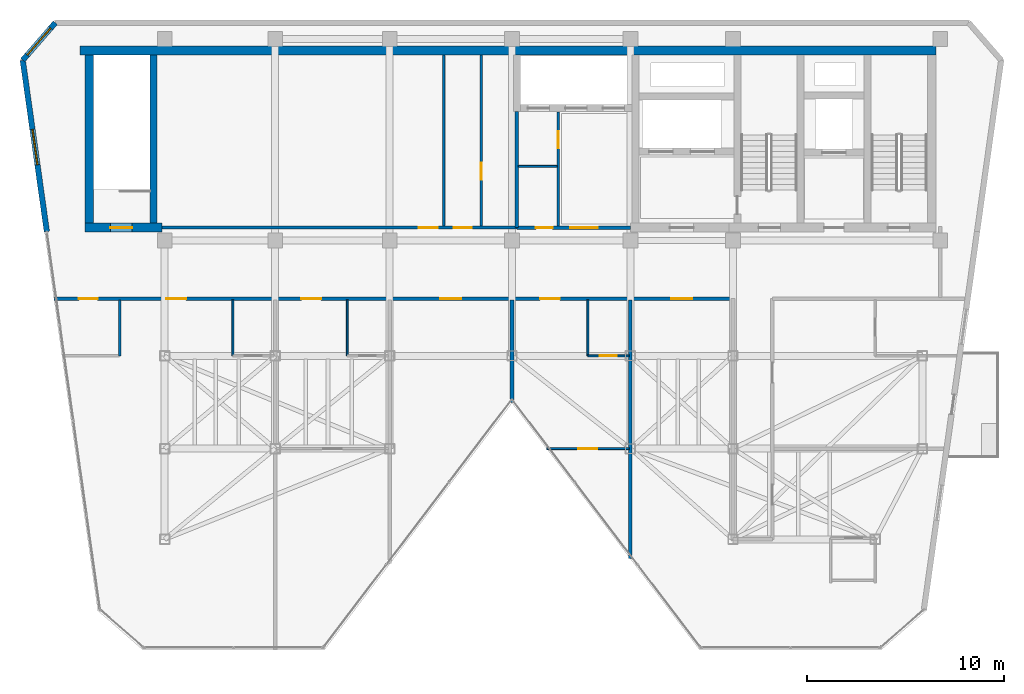
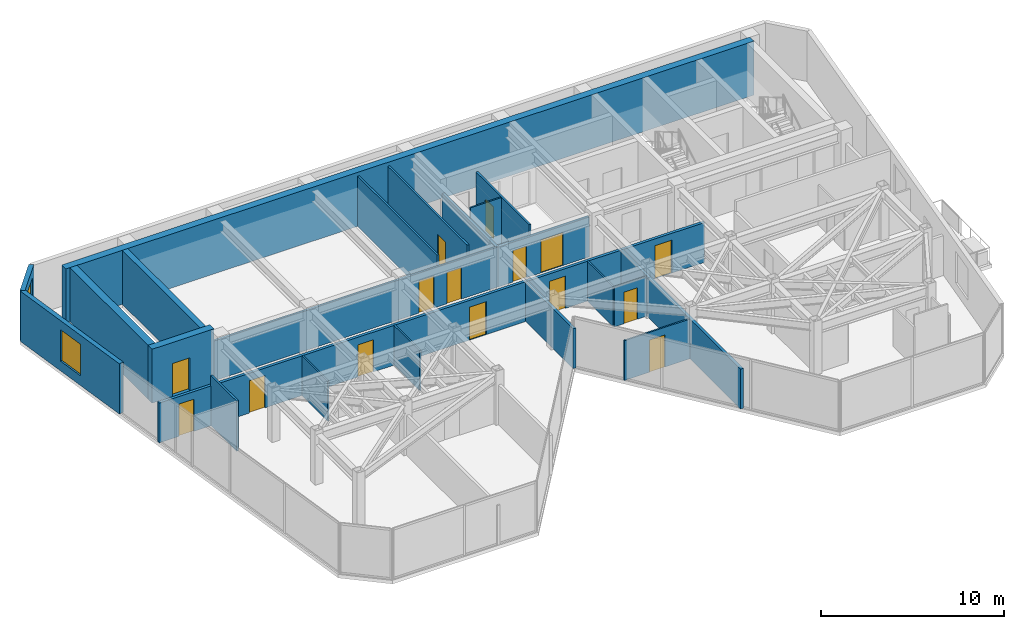
# One storey, part 16 of 20: 22 walls, 15 doors, 2 windows, 17 openings.
"""IFC4 building model written with IfcOpenShell, lengths in metres."""

from ifc_helpers import new_model, si_unit, direction, frame, frame_2d, origin, place, context, subcontext, project, spatial, rectangle, extrude, material, layer, layer_set, type_object, element, fill, save


model = new_model("IFC4")

# Units and contexts
model_context = context("Model", 3, precision=1e-05, world=origin(), true_north=direction((0.0, 1.0)))
body_context = subcontext(model_context, "Body", "Model", "MODEL_VIEW")
ifc_project = project(units=[si_unit("LENGTHUNIT", "METRE"), si_unit("AREAUNIT", "SQUARE_METRE"), si_unit("VOLUMEUNIT", "CUBIC_METRE"), si_unit("PLANEANGLEUNIT", "RADIAN"), si_unit("MASSUNIT", "GRAM", prefix="KILO")], contexts=[model_context])

# Site, building, storey
site_placement = place(None, origin())
site = spatial("IfcSite", under=ifc_project, at=site_placement, CompositionType="ELEMENT")
building_placement = place(site_placement, origin())
building = spatial("IfcBuilding", under=site, at=building_placement, Name="Kravanh Interchange Tower", CompositionType="ELEMENT")
storey_placement = place(building_placement, frame((0.0, 0.0, 241.800048828125)))
storey = spatial("IfcBuildingStorey", under=building, at=storey_placement, Name="L58", CompositionType="ELEMENT", Elevation=241.800048828125)

# Wall, opening, door
ifc_material_1 = material(Name="Double Acoustic Gypsum Board and Mineral Wool")
ifc_layer_1 = layer(ifc_material_1, 0.1201171875)
ifc_layer_set_1 = layer_set([ifc_layer_1], Name="Acoustic Office Drywall Partition 120mm")
wall_type_1 = type_object("IfcWallType", Name="Acoustic Office Drywall Partition 120mm", PredefinedType="PARTITIONING", material=ifc_layer_set_1)
wall_1_placement = place(storey_placement, frame((47.14990234375, 38.068115234375, 0.0), z_axis=(0.0, 0.0, 1.0), x_axis=(0.0, 1.0, 0.0)))
wall_1 = element("IfcWall", 1, at=wall_1_placement, inside=storey, type_object=wall_type_1, Name="L58 Interior Partition 2", PredefinedType="PARTITIONING", context=body_context, shape_type="SweptSolid", body=[
    extrude(rectangle(XDim=5.798828125, YDim=0.1201171875, at=frame_2d((2.8994140625, 0.0))), origin(), (0.0, 0.0, 1.0), 3.349853515625),
])
opening_1_placement = place(wall_1_placement, frame((3.95703125, 0.0, 0.0)))
opening_1 = element("IfcOpeningElement", 2, at=opening_1_placement, cuts=wall_1, Name="Opening D-85", PredefinedType="OPENING", context=body_context, shape_type="SweptSolid", body=[
    extrude(rectangle(XDim=0.85009765625, YDim=2.10009765625, at=frame_2d((0.425048828125, 1.050048828125))), frame((0.0, 0.070068359375, 0.0), z_axis=(0.0, -1.0, 0.0), x_axis=(1.0, 0.0, 0.0)), (0.0, 0.0, 1.0), 0.14013671875),
])
ifc_material_2 = material(Name="Engineered Teak Veneer Timber", Category="wood")
door_type_1 = type_object("IfcDoorType", Name="En-Suite Timber Door 850x2100", OperationType="NOTDEFINED", PredefinedType="DOOR", material=ifc_material_2)
door_1_placement = place(opening_1_placement, origin())
door_1 = element("IfcDoor", 3, at=door_1_placement, inside=storey, type_object=door_type_1, Name="L58 Core Valet Store Door", OperationType="SINGLE_SWING_RIGHT", OverallHeight=2.10009765625, OverallWidth=0.85009765625, PredefinedType="DOOR", context=body_context, shape_type="SweptSolid", body=[
    extrude(rectangle(XDim=0.85009765625, YDim=2.10009765625, at=frame_2d((0.425048828125, 1.050048828125))), frame((0.0, 0.02490234375, 0.0), z_axis=(0.0, -1.0, 0.0), x_axis=(1.0, 0.0, 0.0)), (0.0, 0.0, 1.0), 0.050048828125),
])
fill(opening_1, door_1)

# Wall
wall_2_placement = place(storey_placement, frame((41.35009765625, 38.068115234375, 0.0), z_axis=(0.0, 0.0, 1.0), x_axis=(0.0, 1.0, 0.0)))
element("IfcWall", 4, at=wall_2_placement, inside=storey, type_object=wall_type_1, Name="L58 Interior Partition 7", PredefinedType="PARTITIONING", context=body_context, shape_type="SweptSolid", body=[
    extrude(rectangle(XDim=8.673828125, YDim=0.1201171875, at=frame_2d((4.3369140625, 0.0))), origin(), (0.0, 0.0, 1.0), 3.349853515625),
])

# Wall, opening, door
wall_3_placement = place(storey_placement, frame((43.25, 38.068115234375, 0.0), z_axis=(0.0, 0.0, 1.0), x_axis=(0.0, 1.0, 0.0)))
wall_3 = element("IfcWall", 5, at=wall_3_placement, inside=storey, type_object=wall_type_1, Name="L58 Interior Partition 8", PredefinedType="PARTITIONING", context=body_context, shape_type="SweptSolid", body=[
    extrude(rectangle(XDim=8.673828125, YDim=0.1201171875, at=frame_2d((4.3369140625, 0.0))), origin(), (0.0, 0.0, 1.0), 3.349853515625),
])
opening_2_placement = place(wall_3_placement, frame((2.365966796875, 0.0, 0.0)))
opening_2 = element("IfcOpeningElement", 6, at=opening_2_placement, cuts=wall_3, Name="Opening D-85", PredefinedType="OPENING", context=body_context, shape_type="SweptSolid", body=[
    extrude(rectangle(XDim=0.85009765625, YDim=2.10009765625, at=frame_2d((0.425048828125, 1.050048828125))), frame((0.0, 0.070068359375, 0.0), z_axis=(0.0, -1.0, 0.0), x_axis=(1.0, 0.0, 0.0)), (0.0, 0.0, 1.0), 0.14013671875),
])
door_2_placement = place(opening_2_placement, origin())
door_2 = element("IfcDoor", 7, at=door_2_placement, inside=storey, type_object=door_type_1, Name="L58 Pantry Store Inner Door", OperationType="SINGLE_SWING_LEFT", OverallHeight=2.10009765625, OverallWidth=0.85009765625, PredefinedType="DOOR", context=body_context, shape_type="SweptSolid", body=[
    extrude(rectangle(XDim=0.85009765625, YDim=2.10009765625, at=frame_2d((0.425048828125, 1.050048828125))), frame((0.0, 0.02490234375, 0.0), z_axis=(0.0, -1.0, 0.0), x_axis=(1.0, 0.0, 0.0)), (0.0, 0.0, 1.0), 0.050048828125),
])
fill(opening_2, door_2)

# Walls
wall_4_placement = place(storey_placement, frame((24.919921875, 31.5, 0.0), z_axis=(0.0, 0.0, 1.0), x_axis=(0.0, 1.0, 0.0)))
element("IfcWall", 8, at=wall_4_placement, inside=storey, type_object=wall_type_1, Name="L58 Interior Partition 15", PredefinedType="PARTITIONING", context=body_context, shape_type="SweptSolid", body=[
    extrude(rectangle(XDim=2.83203125, YDim=0.1201171875, at=frame_2d((1.416015625, 0.0))), origin(), (0.0, 0.0, 1.0), 3.349853515625),
])
ifc_material_3 = material(Name="Concrete C60/75", Category="concrete")
ifc_layer_2 = layer(ifc_material_3, 0.35009765625)
ifc_layer_set_2 = layer_set([ifc_layer_2], Name="Core Shear Wall Concrete C60/75 350mm")
wall_type_2 = type_object("IfcWallType", Name="Core Shear Wall Concrete C60/75 350mm", PredefinedType="SHEAR", material=ifc_layer_set_2)
wall_5_placement = place(storey_placement, frame((26.625, 38.22509765625, 0.0), z_axis=(0.0, 0.0, 1.0), x_axis=(0.0, 1.0, 0.0)))
element("IfcWall", 9, at=wall_5_placement, inside=storey, type_object=wall_type_2, Name="L58 Stair ST3 East Shear Wall", PredefinedType="SHEAR", context=body_context, shape_type="SweptSolid", body=[
    extrude(rectangle(XDim=8.52490234375, YDim=0.35009765625, at=frame_2d((4.262451171875, 0.0))), origin(), (0.0, 0.0, 1.0), 3.599853515625),
])
ifc_material_4 = material(Name="Concrete C60/75", Category="concrete")
ifc_layer_3 = layer(ifc_material_4, 0.449951171875)
ifc_layer_set_3 = layer_set([ifc_layer_3], Name="Core Shear Wall Concrete C60/75 450mm")
wall_type_3 = type_object("IfcWallType", Name="Core Shear Wall Concrete C60/75 450mm", PredefinedType="SHEAR", material=ifc_layer_set_3)
wall_6_placement = place(storey_placement, frame((22.89990234375, 46.97509765625, 0.0), z_axis=(0.0, 0.0, 1.0), x_axis=(1.0, 0.0, 0.0)))
element("IfcWall", 10, at=wall_6_placement, inside=storey, type_object=wall_type_3, Name="L58 North Core Shear Wall", PredefinedType="SHEAR", context=body_context, shape_type="SweptSolid", body=[
    extrude(rectangle(XDim=43.400146484375, YDim=0.449951171875, at=frame_2d((21.7001953125, 0.0))), origin(), (0.0, 0.0, 1.0), 3.599853515625),
])

# Wall, opening, door
wall_7_placement = place(storey_placement, frame((23.14990234375, 38.0, 0.0), z_axis=(0.0, 0.0, 1.0), x_axis=(1.0, 0.0, 0.0)))
wall_7 = element("IfcWall", 11, at=wall_7_placement, inside=storey, type_object=wall_type_3, Name="L58 Stair ST3 South Shear Wall", PredefinedType="SHEAR", context=body_context, shape_type="SweptSolid", body=[
    extrude(rectangle(XDim=3.900146484375, YDim=0.449951171875, at=frame_2d((1.9501953125, 0.0))), origin(), (0.0, 0.0, 1.0), 3.599853515625),
])
opening_3_placement = place(wall_7_placement, frame((1.300048828125, 0.0, 0.0)))
opening_3 = element("IfcOpeningElement", 12, at=opening_3_placement, cuts=wall_7, Name="Opening D-STAIR-110", PredefinedType="OPENING", context=body_context, shape_type="SweptSolid", body=[
    extrude(rectangle(XDim=1.10009765625, YDim=2.199951171875, at=frame_2d((0.550048828125, 1.10009765625))), frame((0.0, 0.23486328125, 0.0), z_axis=(0.0, -1.0, 0.0), x_axis=(1.0, 0.0, 0.0)), (0.0, 0.0, 1.0), 0.469970703125),
])
ifc_material_5 = material(Name="Structural Steel S355", Category="steel")
door_type_2 = type_object("IfcDoorType", Name="Fire-Rated Exit Stair Door 1100x2200", OperationType="NOTDEFINED", PredefinedType="DOOR", material=ifc_material_5)
door_3_placement = place(opening_3_placement, origin())
door_3 = element("IfcDoor", 13, at=door_3_placement, inside=storey, type_object=door_type_2, Name="L58 Exit Stair ST3 Door", OperationType="SINGLE_SWING_RIGHT", OverallHeight=2.199951171875, OverallWidth=1.10009765625, PredefinedType="DOOR", context=body_context, shape_type="SweptSolid", body=[
    extrude(rectangle(XDim=1.10009765625, YDim=2.199951171875, at=frame_2d((0.550048828125, 1.10009765625))), frame((0.0, 0.02490234375, 0.0), z_axis=(0.0, -1.0, 0.0), x_axis=(1.0, 0.0, 0.0)), (0.0, 0.0, 1.0), 0.050048828125),
])
fill(opening_3, door_3)

# Walls
wall_8_placement = place(storey_placement, frame((23.375, 38.22509765625, 0.0), z_axis=(0.0, 0.0, 1.0), x_axis=(0.0, 1.0, 0.0)))
element("IfcWall", 14, at=wall_8_placement, inside=storey, type_object=wall_type_3, Name="L58 Stair ST3 West Shear Wall", PredefinedType="SHEAR", context=body_context, shape_type="SweptSolid", body=[
    extrude(rectangle(XDim=8.52490234375, YDim=0.449951171875, at=frame_2d((4.262451171875, 0.0))), origin(), (0.0, 0.0, 1.0), 3.599853515625),
])
ifc_material_6 = material(Name="Moisture-Resistant Gypsum Board and Mineral Wool")
ifc_layer_4 = layer(ifc_material_6, 0.10009765625)
ifc_layer_set_4 = layer_set([ifc_layer_4], Name="En-Suite Moisture-Resistant Partition 100mm")
wall_type_4 = type_object("IfcWallType", Name="En-Suite Moisture-Resistant Partition 100mm", PredefinedType="PARTITIONING", material=ifc_layer_set_4)
wall_9_placement = place(storey_placement, frame((45.117919921875, 41.10009765625, 0.0), z_axis=(0.0, 0.0, 1.0), x_axis=(1.0, 0.0, 0.0)))
element("IfcWall", 15, at=wall_9_placement, inside=storey, type_object=wall_type_4, Name="L58 Interior Partition 3", PredefinedType="PARTITIONING", context=body_context, shape_type="SweptSolid", body=[
    extrude(rectangle(XDim=1.964111328125, YDim=0.10009765625, at=frame_2d((0.98193359375, 0.0))), origin(), (0.0, 0.0, 1.0), 3.349853515625),
])
for number, where, z_axis, x_axis, name in (
    (16, (30.64990234375, 31.5, 0.0), (0.0, 0.0, 1.0), (0.0, 1.0, 0.0), "L58 Interior Partition 24"),
    (17, (36.449951171875, 31.5, 0.0), (0.0, 0.0, 1.0), (0.0, 1.0, 0.0), "L58 Interior Partition 28"),
):
    element("IfcWall", number, at=place(storey_placement, frame(where, z_axis=z_axis, x_axis=x_axis)), inside=storey, type_object=wall_type_4, Name=name, PredefinedType="PARTITIONING", context=body_context, shape_type="SweptSolid", body=[
        extrude(rectangle(XDim=2.83203125, YDim=0.10009765625, at=frame_2d((1.416015625, 0.0))), origin(), (0.0, 0.0, 1.0), 2.654052734375),
    ])

# Wall, opening, door
wall_10_placement = place(storey_placement, frame((46.56689453125, 26.800048828125, 0.0), z_axis=(0.0, 0.0, 1.0), x_axis=(1.0, 0.0, 0.0)))
wall_10 = element("IfcWall", 18, at=wall_10_placement, inside=storey, type_object=wall_type_4, Name="L58 Interior Partition 32", PredefinedType="PARTITIONING", context=body_context, shape_type="SweptSolid", body=[
    extrude(rectangle(XDim=4.1650390625, YDim=0.10009765625, at=frame_2d((2.08251953125, 0.0))), origin(), (0.0, 0.0, 1.0), 2.654052734375),
])
opening_4_placement = place(wall_10_placement, frame((1.6015625, 0.0, 0.0)))
opening_4 = element("IfcOpeningElement", 19, at=opening_4_placement, cuts=wall_10, Name="Opening D-95", PredefinedType="OPENING", context=body_context, shape_type="SweptSolid", body=[
    extrude(rectangle(XDim=0.949951171875, YDim=2.14990234375, at=frame_2d((0.47509765625, 1.074951171875))), frame((0.0, 0.06005859375, 0.0), z_axis=(0.0, -1.0, 0.0), x_axis=(1.0, 0.0, 0.0)), (0.0, 0.0, 1.0), 0.1201171875),
])
ifc_material_7 = material(Name="Laminate Solid-Core Timber", Category="wood")
door_type_3 = type_object("IfcDoorType", Name="Accessible Restroom Door 950x2150", OperationType="NOTDEFINED", PredefinedType="DOOR", material=ifc_material_7)
door_4_placement = place(opening_4_placement, origin())
door_4 = element("IfcDoor", 20, at=door_4_placement, inside=storey, type_object=door_type_3, Name="L58 Sunroom Alcove Inner Door", OperationType="SINGLE_SWING_LEFT", OverallHeight=2.14990234375, OverallWidth=0.949951171875, PredefinedType="DOOR", context=body_context, shape_type="SweptSolid", body=[
    extrude(rectangle(XDim=0.949951171875, YDim=2.14990234375, at=frame_2d((0.47509765625, 1.074951171875))), frame((0.0, 0.02490234375, 0.0), z_axis=(0.0, -1.0, 0.0), x_axis=(1.0, 0.0, 0.0)), (0.0, 0.0, 1.0), 0.050048828125),
])
fill(opening_4, door_4)

# Wall
wall_11_placement = place(storey_placement, frame((48.64990234375, 31.5, 0.0), z_axis=(0.0, 0.0, 1.0), x_axis=(0.0, 1.0, 0.0)))
element("IfcWall", 21, at=wall_11_placement, inside=storey, type_object=wall_type_4, Name="L58 Interior Partition 33", PredefinedType="PARTITIONING", context=body_context, shape_type="SweptSolid", body=[
    extrude(rectangle(XDim=2.83203125, YDim=0.10009765625, at=frame_2d((1.416015625, 0.0))), origin(), (0.0, 0.0, 1.0), 2.654052734375),
])

# Wall, opening, door
wall_12_placement = place(storey_placement, frame((48.64990234375, 31.5, 0.0), z_axis=(0.0, 0.0, 1.0), x_axis=(1.0, 0.0, 0.0)))
wall_12 = element("IfcWall", 22, at=wall_12_placement, inside=storey, type_object=wall_type_4, Name="L58 Interior Partition 34", PredefinedType="PARTITIONING", context=body_context, shape_type="SweptSolid", body=[
    extrude(rectangle(XDim=2.08203125, YDim=0.10009765625, at=frame_2d((1.041015625, 0.0))), origin(), (0.0, 0.0, 1.0), 2.654052734375),
])
opening_5_placement = place(wall_12_placement, frame((0.607421875, 0.0, 0.0)))
opening_5 = element("IfcOpeningElement", 23, at=opening_5_placement, cuts=wall_12, Name="Opening D-85", PredefinedType="OPENING", context=body_context, shape_type="SweptSolid", body=[
    extrude(rectangle(XDim=0.85009765625, YDim=2.10009765625, at=frame_2d((0.425048828125, 1.050048828125))), frame((0.0, 0.06005859375, 0.0), z_axis=(0.0, -1.0, 0.0), x_axis=(1.0, 0.0, 0.0)), (0.0, 0.0, 1.0), 0.1201171875),
])
door_5_placement = place(opening_5_placement, origin())
door_5 = element("IfcDoor", 24, at=door_5_placement, inside=storey, type_object=door_type_1, Name="L58 En-suite Bathroom Door", OperationType="SINGLE_SWING_LEFT", OverallHeight=2.10009765625, OverallWidth=0.85009765625, PredefinedType="DOOR", context=body_context, shape_type="SweptSolid", body=[
    extrude(rectangle(XDim=0.85009765625, YDim=2.10009765625, at=frame_2d((0.425048828125, 1.050048828125))), frame((0.0, 0.02490234375, 0.0), z_axis=(0.0, -1.0, 0.0), x_axis=(1.0, 0.0, 0.0)), (0.0, 0.0, 1.0), 0.050048828125),
])
fill(opening_5, door_5)

# Wall, opening, window
ifc_material_8 = material(Name="Insulated Precast Concrete C40/50 with Bronze Cladding", Category="concrete")
ifc_layer_5 = layer(ifc_material_8, 0.280029296875)
ifc_layer_set_5 = layer_set([ifc_layer_5], Name="Exterior Insulated Concrete C40/50 Bronze Spandrel Wall 280mm")
wall_type_5 = type_object("IfcWallType", Name="Exterior Insulated Concrete C40/50 Bronze Spandrel Wall 280mm", PredefinedType="STANDARD", material=ifc_layer_set_5)
wall_13_placement = place(storey_placement, frame((21.224853515625, 37.800048828125, 0.0), z_axis=(0.0, 0.0, 1.0), x_axis=(-0.139179310088, 0.990267196086, 0.0)))
wall_13 = element("IfcWall", 25, at=wall_13_placement, inside=storey, type_object=wall_type_5, Name="L58 Exterior Wall 1", PredefinedType="STANDARD", context=body_context, shape_type="SweptSolid", body=[
    extrude(rectangle(XDim=8.767333984375, YDim=0.280029296875, at=frame_2d((4.3837890625, 0.0))), origin(), (0.0, 0.0, 1.0), 3.349853515625),
])
opening_6_placement = place(wall_13_placement, frame((3.422607421875, 0.0, 0.64990234375)))
opening_6 = element("IfcOpeningElement", 26, at=opening_6_placement, cuts=wall_13, Name="Opening WN-180X210", PredefinedType="OPENING", context=body_context, shape_type="SweptSolid", body=[
    extrude(rectangle(XDim=1.800048828125, YDim=2.10009765625, at=frame_2d((0.89990234375, 1.050048828125))), frame((0.0, 0.14990234375, 0.0), z_axis=(0.0, -1.0, 0.0), x_axis=(1.0, 0.0, 0.0)), (0.0, 0.0, 1.0), 0.300048828125),
])
ifc_material_9 = material(Name="Thermally Broken Bronze Aluminium and Low-E Glass", Category="aluminium")
window_type = type_object("IfcWindowType", Name="Tower Pier Window 1800x2100", PartitioningType="SINGLE_PANEL", PredefinedType="WINDOW", material=ifc_material_9)
window_1_placement = place(opening_6_placement, origin())
window_1 = element("IfcWindow", 27, at=window_1_placement, inside=storey, type_object=window_type, Name="L58 Corner Window 1", OverallHeight=2.10009765625, OverallWidth=1.800048828125, PartitioningType="SINGLE_PANEL", PredefinedType="WINDOW", context=body_context, shape_type="SweptSolid", body=[
    extrude(rectangle(XDim=1.800048828125, YDim=2.10009765625, at=frame_2d((0.89990234375, 1.050048828125))), frame((0.0, 0.030029296875, 0.0), z_axis=(0.0, -1.0, 0.0), x_axis=(1.0, 0.0, 0.0)), (0.0, 0.0, 1.0), 0.06005859375),
])
fill(opening_6, window_1)

wall_14_placement = place(storey_placement, frame((20.004638671875, 46.48193359375, 0.0), z_axis=(0.0, 0.0, 1.0), x_axis=(0.656123436343, 0.75465358694, 0.0)))
wall_14 = element("IfcWall", 28, at=wall_14_placement, inside=storey, type_object=wall_type_5, Name="L58 Exterior Wall 2", PredefinedType="STANDARD", context=body_context, shape_type="SweptSolid", body=[
    extrude(rectangle(XDim=2.514892578125, YDim=0.280029296875, at=frame_2d((1.25732421875, 0.0))), origin(), (0.0, 0.0, 1.0), 3.349853515625),
])
opening_7_placement = place(wall_14_placement, frame((0.352783203125, 0.0, 0.64990234375)))
opening_7 = element("IfcOpeningElement", 29, at=opening_7_placement, cuts=wall_14, Name="Opening WN-180X210", PredefinedType="OPENING", context=body_context, shape_type="SweptSolid", body=[
    extrude(rectangle(XDim=1.800048828125, YDim=2.10009765625, at=frame_2d((0.89990234375, 1.050048828125))), frame((0.0, 0.14990234375, 0.0), z_axis=(0.0, -1.0, 0.0), x_axis=(1.0, 0.0, 0.0)), (0.0, 0.0, 1.0), 0.300048828125),
])
window_2_placement = place(opening_7_placement, origin())
window_2 = element("IfcWindow", 30, at=window_2_placement, inside=storey, type_object=window_type, Name="L58 Corner Window 2", OverallHeight=2.10009765625, OverallWidth=1.800048828125, PartitioningType="SINGLE_PANEL", PredefinedType="WINDOW", context=body_context, shape_type="SweptSolid", body=[
    extrude(rectangle(XDim=1.800048828125, YDim=2.10009765625, at=frame_2d((0.89990234375, 1.050048828125))), frame((0.0, 0.030029296875, 0.0), z_axis=(0.0, -1.0, 0.0), x_axis=(1.0, 0.0, 0.0)), (0.0, 0.0, 1.0), 0.06005859375),
])
fill(opening_7, window_2)

# Wall, openings, doors
ifc_material_10 = material(Name="Autoclaved Aerated Concrete C30/37 Blockwork", Category="masonry")
ifc_layer_6 = layer(ifc_material_10, 0.179931640625)
ifc_layer_set_6 = layer_set([ifc_layer_6], Name="Fire-Rated Lobby and Corridor Wall Concrete C30/37 180mm")
wall_type_6 = type_object("IfcWallType", Name="Fire-Rated Lobby and Corridor Wall Concrete C30/37 180mm", PredefinedType="STANDARD", material=ifc_layer_set_6)
wall_15_placement = place(storey_placement, frame((45.050048828125, 38.0, 0.0), z_axis=(0.0, 0.0, 1.0), x_axis=(1.0, 0.0, 0.0)))
wall_15 = element("IfcWall", 31, at=wall_15_placement, inside=storey, type_object=wall_type_6, Name="L58 High-Rise Lift Lobby Wall 1", PredefinedType="STANDARD", context=body_context, shape_type="SweptSolid", body=[
    extrude(rectangle(XDim=5.75, YDim=0.179931640625, at=frame_2d((2.875, 0.0))), origin(), (0.0, 0.0, 1.0), 2.654052734375),
])
opening_8_placement = place(wall_15_placement, frame((0.9541015625, 0.0, 0.0)))
opening_8 = element("IfcOpeningElement", 32, at=opening_8_placement, cuts=wall_15, Name="Opening D-85", PredefinedType="OPENING", context=body_context, shape_type="SweptSolid", body=[
    extrude(rectangle(XDim=0.85009765625, YDim=2.10009765625, at=frame_2d((0.425048828125, 1.050048828125))), frame((0.0, 0.10009765625, 0.0), z_axis=(0.0, -1.0, 0.0), x_axis=(1.0, 0.0, 0.0)), (0.0, 0.0, 1.0), 0.199951171875),
])
opening_9_placement = place(wall_15_placement, frame((2.699951171875, 0.0, 0.0)))
opening_9 = element("IfcOpeningElement", 33, at=opening_9_placement, cuts=wall_15, Name="Opening DBL-140", PredefinedType="OPENING", context=body_context, shape_type="SweptSolid", body=[
    extrude(rectangle(XDim=1.39990234375, YDim=2.199951171875, at=frame_2d((0.699951171875, 1.10009765625))), frame((0.0, 0.10009765625, 0.0), z_axis=(0.0, -1.0, 0.0), x_axis=(1.0, 0.0, 0.0)), (0.0, 0.0, 1.0), 0.199951171875),
])
door_6_placement = place(opening_8_placement, origin())
door_6 = element("IfcDoor", 34, at=door_6_placement, inside=storey, type_object=door_type_1, Name="L58 Core Housekeeping Utility Door", OperationType="SINGLE_SWING_LEFT", OverallHeight=2.10009765625, OverallWidth=0.85009765625, PredefinedType="DOOR", context=body_context, shape_type="SweptSolid", body=[
    extrude(rectangle(XDim=0.85009765625, YDim=2.10009765625, at=frame_2d((0.425048828125, 1.050048828125))), frame((0.0, 0.02490234375, 0.0), z_axis=(0.0, -1.0, 0.0), x_axis=(1.0, 0.0, 0.0)), (0.0, 0.0, 1.0), 0.050048828125),
])
fill(opening_8, door_6)
ifc_material_11 = material(Name="Acoustic Bronze-Framed Glass", Category="glass")
door_type_4 = type_object("IfcDoorType", Name="Hospitality Lounge Double Door 1400x2200", OperationType="DOUBLE_DOOR_SINGLE_SWING", PredefinedType="DOOR", material=ifc_material_11)
door_7_placement = place(opening_9_placement, origin())
door_7 = element("IfcDoor", 35, at=door_7_placement, inside=storey, type_object=door_type_4, Name="L58 High-Rise Lift Lobby Door", OperationType="DOUBLE_DOOR_SINGLE_SWING", OverallHeight=2.199951171875, OverallWidth=1.39990234375, PredefinedType="DOOR", context=body_context, shape_type="SweptSolid", body=[
    extrude(rectangle(XDim=1.39990234375, YDim=2.199951171875, at=frame_2d((0.699951171875, 1.10009765625))), frame((0.0, 0.02490234375, 0.0), z_axis=(0.0, -1.0, 0.0), x_axis=(1.0, 0.0, 0.0)), (0.0, 0.0, 1.0), 0.050048828125),
])
fill(opening_9, door_7)

# Wall
wall_16_placement = place(storey_placement, frame((45.050048828125, 38.0, 0.0), z_axis=(0.0, 0.0, 1.0), x_axis=(0.0, 1.0, 0.0)))
element("IfcWall", 36, at=wall_16_placement, inside=storey, type_object=wall_type_6, Name="L58 Interior Partition 4", PredefinedType="STANDARD", context=body_context, shape_type="SweptSolid", body=[
    extrude(rectangle(XDim=5.875, YDim=0.179931640625, at=frame_2d((2.9375, 0.0))), origin(), (0.0, 0.0, 1.0), 2.654052734375),
])

# Wall, openings, doors
wall_17_placement = place(storey_placement, frame((21.5966796875, 34.39990234375, 0.0), z_axis=(0.0, 0.0, 1.0), x_axis=(1.0, 0.0, 0.0)))
wall_17 = element("IfcWall", 37, at=wall_17_placement, inside=storey, type_object=wall_type_6, Name="L58 Interior Partition 9", PredefinedType="STANDARD", context=body_context, shape_type="SweptSolid", body=[
    extrude(rectangle(XDim=34.4033203125, YDim=0.179931640625, at=frame_2d((17.20166015625, 0.0))), origin(), (0.0, 0.0, 1.0), 2.654052734375),
])
opening_10_placement = place(wall_17_placement, frame((1.257568359375, 0.0, 0.0)))
opening_10 = element("IfcOpeningElement", 38, at=opening_10_placement, cuts=wall_17, Name="Opening D-95", PredefinedType="OPENING", context=body_context, shape_type="SweptSolid", body=[
    extrude(rectangle(XDim=0.949951171875, YDim=2.14990234375, at=frame_2d((0.47509765625, 1.074951171875))), frame((0.0, 0.10009765625, 0.0), z_axis=(0.0, -1.0, 0.0), x_axis=(1.0, 0.0, 0.0)), (0.0, 0.0, 1.0), 0.199951171875),
])
opening_11_placement = place(wall_17_placement, frame((5.688232421875, 0.0, 0.0)))
opening_11 = element("IfcOpeningElement", 39, at=opening_11_placement, cuts=wall_17, Name="Opening D-HOTEL-100", PredefinedType="OPENING", context=body_context, shape_type="SweptSolid", body=[
    extrude(rectangle(XDim=1.0, YDim=2.14990234375, at=frame_2d((0.5, 1.074951171875))), frame((0.0, 0.10009765625, 0.0), z_axis=(0.0, -1.0, 0.0), x_axis=(1.0, 0.0, 0.0)), (0.0, 0.0, 1.0), 0.199951171875),
])
opening_12_placement = place(wall_17_placement, frame((12.5283203125, 0.0, 0.0)))
opening_12 = element("IfcOpeningElement", 40, at=opening_12_placement, cuts=wall_17, Name="Opening D-HOTEL-100", PredefinedType="OPENING", context=body_context, shape_type="SweptSolid", body=[
    extrude(rectangle(XDim=1.0, YDim=2.14990234375, at=frame_2d((0.5, 1.074951171875))), frame((0.0, 0.10009765625, 0.0), z_axis=(0.0, -1.0, 0.0), x_axis=(1.0, 0.0, 0.0)), (0.0, 0.0, 1.0), 0.199951171875),
])
opening_13_placement = place(wall_17_placement, frame((19.578369140625, 0.0, 0.0)))
opening_13 = element("IfcOpeningElement", 41, at=opening_13_placement, cuts=wall_17, Name="Opening D-105", PredefinedType="OPENING", context=body_context, shape_type="SweptSolid", body=[
    extrude(rectangle(XDim=1.050048828125, YDim=2.199951171875, at=frame_2d((0.52490234375, 1.10009765625))), frame((0.0, 0.10009765625, 0.0), z_axis=(0.0, -1.0, 0.0), x_axis=(1.0, 0.0, 0.0)), (0.0, 0.0, 1.0), 0.199951171875),
])
opening_14_placement = place(wall_17_placement, frame((24.62841796875, 0.0, 0.0)))
opening_14 = element("IfcOpeningElement", 42, at=opening_14_placement, cuts=wall_17, Name="Opening D-HOTEL-100", PredefinedType="OPENING", context=body_context, shape_type="SweptSolid", body=[
    extrude(rectangle(XDim=1.0, YDim=2.14990234375, at=frame_2d((0.5, 1.074951171875))), frame((0.0, 0.10009765625, 0.0), z_axis=(0.0, -1.0, 0.0), x_axis=(1.0, 0.0, 0.0)), (0.0, 0.0, 1.0), 0.199951171875),
])
opening_15_placement = place(wall_17_placement, frame((31.2783203125, 0.0, 0.0)))
opening_15 = element("IfcOpeningElement", 43, at=opening_15_placement, cuts=wall_17, Name="Opening D-105", PredefinedType="OPENING", context=body_context, shape_type="SweptSolid", body=[
    extrude(rectangle(XDim=1.050048828125, YDim=2.199951171875, at=frame_2d((0.52490234375, 1.10009765625))), frame((0.0, 0.10009765625, 0.0), z_axis=(0.0, -1.0, 0.0), x_axis=(1.0, 0.0, 0.0)), (0.0, 0.0, 1.0), 0.199951171875),
])
door_8_placement = place(opening_10_placement, origin())
door_8 = element("IfcDoor", 44, at=door_8_placement, inside=storey, type_object=door_type_3, Name="L58 Accessible WC Door", OperationType="SINGLE_SWING_RIGHT", OverallHeight=2.14990234375, OverallWidth=0.949951171875, PredefinedType="DOOR", context=body_context, shape_type="SweptSolid", body=[
    extrude(rectangle(XDim=0.949951171875, YDim=2.14990234375, at=frame_2d((0.47509765625, 1.074951171875))), frame((0.0, 0.02490234375, 0.0), z_axis=(0.0, -1.0, 0.0), x_axis=(1.0, 0.0, 0.0)), (0.0, 0.0, 1.0), 0.050048828125),
])
fill(opening_10, door_8)
ifc_material_12 = material(Name="Fire-Rated Solid Timber Leaf", Category="wood")
door_type_5 = type_object("IfcDoorType", Name="Fire-Rated Suite Entrance Door 1000x2150", OperationType="NOTDEFINED", PredefinedType="DOOR", material=ifc_material_12)
door_9_placement = place(opening_11_placement, origin())
door_9 = element("IfcDoor", 45, at=door_9_placement, inside=storey, type_object=door_type_5, Name="L58 Hotel Guest Room W1 Entrance Door", OperationType="SINGLE_SWING_LEFT", OverallHeight=2.14990234375, OverallWidth=1.0, PredefinedType="DOOR", context=body_context, shape_type="SweptSolid", body=[
    extrude(rectangle(XDim=1.0, YDim=2.14990234375, at=frame_2d((0.5, 1.074951171875))), frame((0.0, 0.02490234375, 0.0), z_axis=(0.0, -1.0, 0.0), x_axis=(1.0, 0.0, 0.0)), (0.0, 0.0, 1.0), 0.050048828125),
])
fill(opening_11, door_9)
door_10_placement = place(opening_12_placement, origin())
door_10 = element("IfcDoor", 46, at=door_10_placement, inside=storey, type_object=door_type_5, Name="L58 Hotel Guest Room W2 Entrance Door", OperationType="SINGLE_SWING_RIGHT", OverallHeight=2.14990234375, OverallWidth=1.0, PredefinedType="DOOR", context=body_context, shape_type="SweptSolid", body=[
    extrude(rectangle(XDim=1.0, YDim=2.14990234375, at=frame_2d((0.5, 1.074951171875))), frame((0.0, 0.02490234375, 0.0), z_axis=(0.0, -1.0, 0.0), x_axis=(1.0, 0.0, 0.0)), (0.0, 0.0, 1.0), 0.050048828125),
])
fill(opening_12, door_10)
door_11_placement = place(opening_14_placement, origin())
door_11 = element("IfcDoor", 47, at=door_11_placement, inside=storey, type_object=door_type_5, Name="L58 Hotel Guest Room W3 Entrance Door", OperationType="SINGLE_SWING_RIGHT", OverallHeight=2.14990234375, OverallWidth=1.0, PredefinedType="DOOR", context=body_context, shape_type="SweptSolid", body=[
    extrude(rectangle(XDim=1.0, YDim=2.14990234375, at=frame_2d((0.5, 1.074951171875))), frame((0.0, 0.02490234375, 0.0), z_axis=(0.0, -1.0, 0.0), x_axis=(1.0, 0.0, 0.0)), (0.0, 0.0, 1.0), 0.050048828125),
])
fill(opening_14, door_11)
ifc_material_13 = material(Name="Acoustic Glazed Oak and Aluminium", Category="aluminium")
door_type_6 = type_object("IfcDoorType", Name="Office Workplace Door 1050x2200", OperationType="NOTDEFINED", PredefinedType="DOOR", material=ifc_material_13)
door_12_placement = place(opening_13_placement, origin())
door_12 = element("IfcDoor", 48, at=door_12_placement, inside=storey, type_object=door_type_6, Name="L58 Club Reading Lounge Door", OperationType="SINGLE_SWING_RIGHT", OverallHeight=2.199951171875, OverallWidth=1.050048828125, PredefinedType="DOOR", context=body_context, shape_type="SweptSolid", body=[
    extrude(rectangle(XDim=1.050048828125, YDim=2.199951171875, at=frame_2d((0.52490234375, 1.10009765625))), frame((0.0, 0.02490234375, 0.0), z_axis=(0.0, -1.0, 0.0), x_axis=(1.0, 0.0, 0.0)), (0.0, 0.0, 1.0), 0.050048828125),
])
fill(opening_13, door_12)
door_13_placement = place(opening_15_placement, origin())
door_13 = element("IfcDoor", 49, at=door_13_placement, inside=storey, type_object=door_type_6, Name="L58 Sommelier Kitchenette Door", OperationType="SINGLE_SWING_RIGHT", OverallHeight=2.199951171875, OverallWidth=1.050048828125, PredefinedType="DOOR", context=body_context, shape_type="SweptSolid", body=[
    extrude(rectangle(XDim=1.050048828125, YDim=2.199951171875, at=frame_2d((0.52490234375, 1.10009765625))), frame((0.0, 0.02490234375, 0.0), z_axis=(0.0, -1.0, 0.0), x_axis=(1.0, 0.0, 0.0)), (0.0, 0.0, 1.0), 0.050048828125),
])
fill(opening_15, door_13)

# Walls
wall_18_placement = place(storey_placement, frame((44.800048828125, 29.124755859375, 0.0), z_axis=(0.0, 0.0, 1.0), x_axis=(0.0, 1.0, 0.0)))
element("IfcWall", 50, at=wall_18_placement, inside=storey, type_object=wall_type_6, Name="L58 Interior Partition 31", PredefinedType="STANDARD", context=body_context, shape_type="SweptSolid", body=[
    extrude(rectangle(XDim=5.207275390625, YDim=0.179931640625, at=frame_2d((2.603515625, 0.0))), origin(), (0.0, 0.0, 1.0), 2.654052734375),
])
wall_19_placement = place(storey_placement, frame((50.800048828125, 21.22998046875, 0.0), z_axis=(0.0, 0.0, 1.0), x_axis=(0.0, 1.0, 0.0)))
element("IfcWall", 51, at=wall_19_placement, inside=storey, type_object=wall_type_6, Name="L58 Interior Partition 35", PredefinedType="STANDARD", context=body_context, shape_type="SweptSolid", body=[
    extrude(rectangle(XDim=13.10205078125, YDim=0.179931640625, at=frame_2d((6.551025390625, 0.0))), origin(), (0.0, 0.0, 1.0), 2.654052734375),
])

# Wall, openings, doors
ifc_material_14 = material(Name="Twin Stud Acoustic Gypsum Board Wall")
ifc_layer_7 = layer(ifc_material_14, 0.14990234375)
ifc_layer_set_7 = layer_set([ifc_layer_7], Name="Medium-Duty Acoustic Partition 150mm")
wall_type_7 = type_object("IfcWallType", Name="Medium-Duty Acoustic Partition 150mm", PredefinedType="PARTITIONING", material=ifc_layer_set_7)
wall_20_placement = place(storey_placement, frame((27.050048828125, 38.0, 0.0), z_axis=(0.0, 0.0, 1.0), x_axis=(1.0, 0.0, 0.0)))
wall_20 = element("IfcWall", 52, at=wall_20_placement, inside=storey, type_object=wall_type_7, Name="L58 Interior Partition 5", PredefinedType="PARTITIONING", context=body_context, shape_type="SweptSolid", body=[
    extrude(rectangle(XDim=18.0, YDim=0.14990234375, at=frame_2d((9.0, 0.0))), origin(), (0.0, 0.0, 1.0), 2.654052734375),
])
opening_16_placement = place(wall_20_placement, frame((13.02490234375, 0.0, 0.0)))
opening_16 = element("IfcOpeningElement", 53, at=opening_16_placement, cuts=wall_20, Name="Opening D-95", PredefinedType="OPENING", context=body_context, shape_type="SweptSolid", body=[
    extrude(rectangle(XDim=0.949951171875, YDim=2.14990234375, at=frame_2d((0.47509765625, 1.074951171875))), frame((0.0, 0.0849609375, 0.0), z_axis=(0.0, -1.0, 0.0), x_axis=(1.0, 0.0, 0.0)), (0.0, 0.0, 1.0), 0.169921875),
])
opening_17_placement = place(wall_20_placement, frame((14.800048828125, 0.0, 0.0)))
opening_17 = element("IfcOpeningElement", 54, at=opening_17_placement, cuts=wall_20, Name="Opening D-90", PredefinedType="OPENING", context=body_context, shape_type="SweptSolid", body=[
    extrude(rectangle(XDim=0.89990234375, YDim=2.10009765625, at=frame_2d((0.449951171875, 1.050048828125))), frame((0.0, 0.0849609375, 0.0), z_axis=(0.0, -1.0, 0.0), x_axis=(1.0, 0.0, 0.0)), (0.0, 0.0, 1.0), 0.169921875),
])
door_14_placement = place(opening_16_placement, origin())
door_14 = element("IfcDoor", 55, at=door_14_placement, inside=storey, type_object=door_type_3, Name="L58 North Library Lounge Door", OperationType="SINGLE_SWING_LEFT", OverallHeight=2.14990234375, OverallWidth=0.949951171875, PredefinedType="DOOR", context=body_context, shape_type="SweptSolid", body=[
    extrude(rectangle(XDim=0.949951171875, YDim=2.14990234375, at=frame_2d((0.47509765625, 1.074951171875))), frame((0.0, 0.02490234375, 0.0), z_axis=(0.0, -1.0, 0.0), x_axis=(1.0, 0.0, 0.0)), (0.0, 0.0, 1.0), 0.050048828125),
])
fill(opening_16, door_14)
ifc_material_15 = material(Name="Painted Solid-Core Timber", Category="wood")
door_type_7 = type_object("IfcDoorType", Name="Service Room Door 900x2100", OperationType="NOTDEFINED", PredefinedType="DOOR", material=ifc_material_15)
door_15_placement = place(opening_17_placement, origin())
door_15 = element("IfcDoor", 56, at=door_15_placement, inside=storey, type_object=door_type_7, Name="L58 Housekeeping Room Door", OperationType="SINGLE_SWING_RIGHT", OverallHeight=2.10009765625, OverallWidth=0.89990234375, PredefinedType="DOOR", context=body_context, shape_type="SweptSolid", body=[
    extrude(rectangle(XDim=0.89990234375, YDim=2.10009765625, at=frame_2d((0.449951171875, 1.050048828125))), frame((0.0, 0.02490234375, 0.0), z_axis=(0.0, -1.0, 0.0), x_axis=(1.0, 0.0, 0.0)), (0.0, 0.0, 1.0), 0.050048828125),
])
fill(opening_17, door_15)

save(model, "model.ifc")
